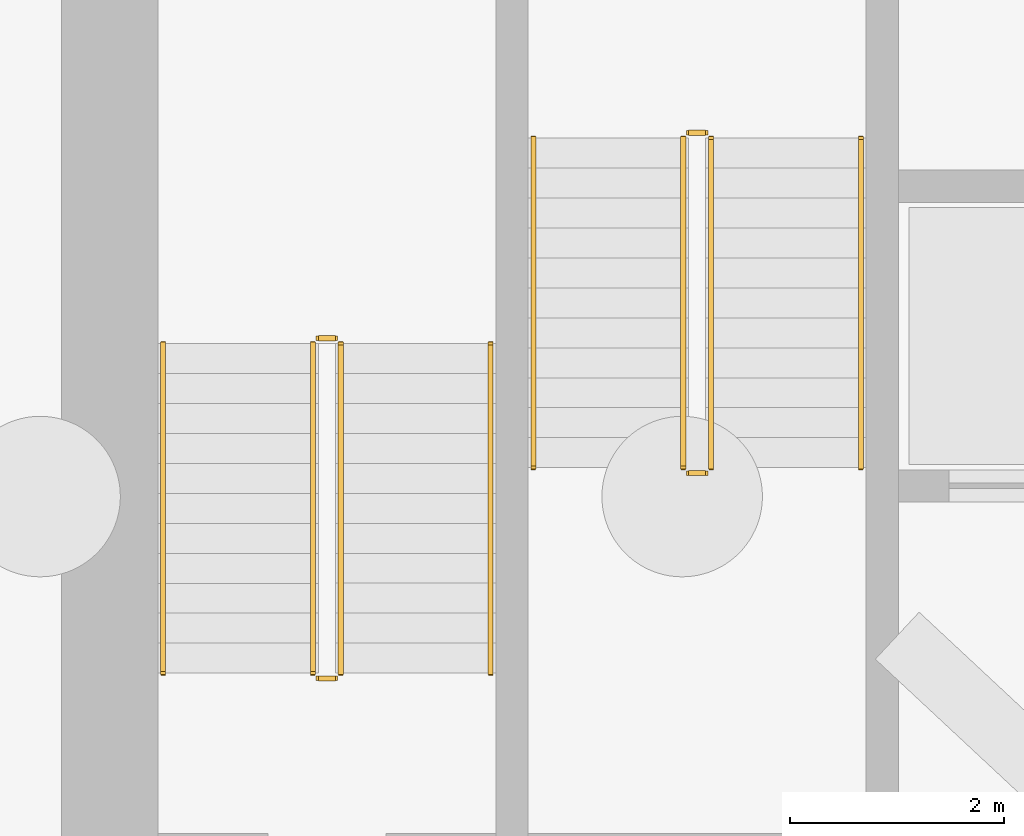
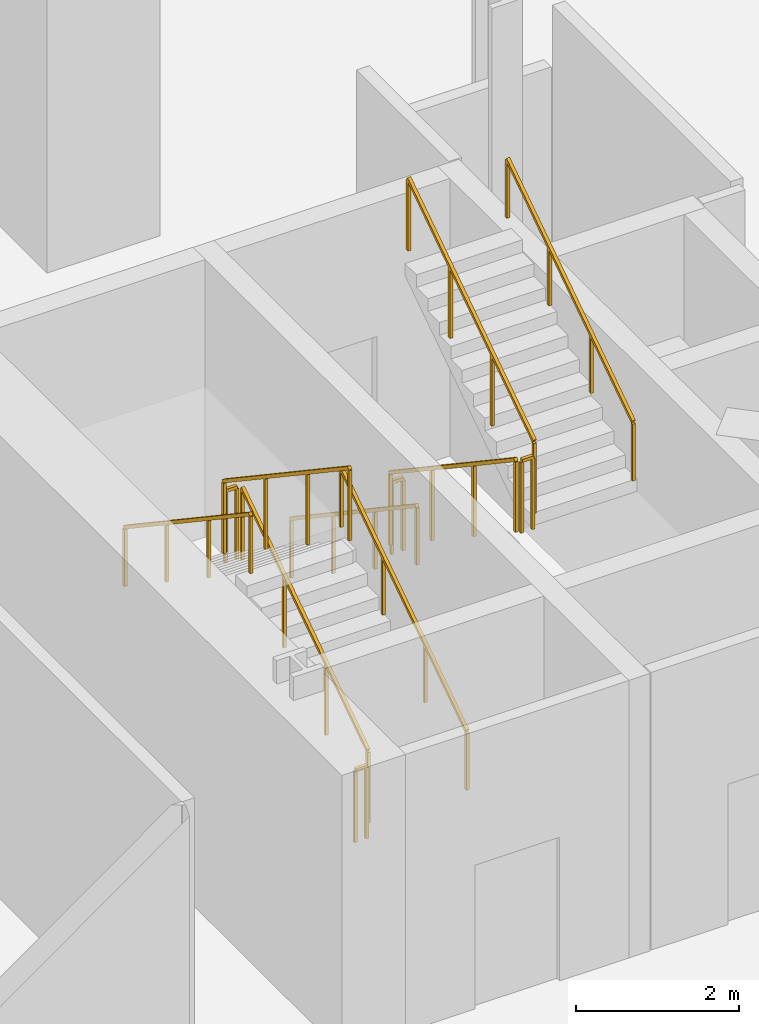
# One storey, part 8 of 10: 12 railings.
"""IFC4 building model written with IfcOpenShell, lengths in metres."""

from ifc_helpers import new_model, si_unit, direction, frame, origin, origin_2d, place, context, subcontext, project, spatial, rectangle, extrude, material, type_object, element, save


model = new_model("IFC4")

# Units and contexts
model_context = context("Model", 3, precision=1e-05, world=origin(), true_north=direction((0.0, 1.0)))
body_context = subcontext(model_context, "Body", "Model", "MODEL_VIEW")
ifc_project = project(units=[si_unit("LENGTHUNIT", "METRE"), si_unit("AREAUNIT", "SQUARE_METRE"), si_unit("VOLUMEUNIT", "CUBIC_METRE"), si_unit("PLANEANGLEUNIT", "RADIAN"), si_unit("MASSUNIT", "GRAM", prefix="KILO"), si_unit("THERMODYNAMICTEMPERATUREUNIT", "KELVIN"), si_unit("POWERUNIT", "WATT")], contexts=[model_context])

# Site, building, storey
site_placement = place(None, origin())
site = spatial("IfcSite", under=ifc_project, at=site_placement, CompositionType="ELEMENT")
building_placement = place(site_placement, origin())
building = spatial("IfcBuilding", under=site, at=building_placement, Name="Cundina Bronze Exchange", CompositionType="ELEMENT")
storey_placement = place(building_placement, frame((0.0, 0.0, -9.0)))
storey = spatial("IfcBuildingStorey", under=building, at=storey_placement, Name="B02", CompositionType="ELEMENT", Elevation=-9.0)

# Railings
ifc_material = material(Name="Steel ASTM A36 Painted", Category="steel")
railing_type_1 = type_object("IfcRailingType", Name="RLG-HND-900", PredefinedType="HANDRAIL", material=ifc_material)
railing_1_placement = place(storey_placement, frame((-27.7900390625, 5.85009765625, 0.1875)))
element("IfcRailing", 1, at=railing_1_placement, inside=storey, type_object=railing_type_1, Name="B02 ST-W1 stair handrail 1", PredefinedType="HANDRAIL", context=body_context, shape_type="SweptSolid", body=[
    extrude(rectangle(XDim=0.048095703125, YDim=0.048095703125, at=origin_2d()), frame((0.0, 0.0, 0.8759765625), z_axis=(0.0, 0.830893310487, 0.556431762742), x_axis=(-1.0, 0.0, 0.0)), (0.0, 0.0, 1.0), 3.70654296875),
    extrude(rectangle(XDim=0.0419921875, YDim=0.0419921875, at=origin_2d()), origin(), (0.0, 0.0, 1.0), 0.851806640625),
    extrude(rectangle(XDim=0.0419921875, YDim=0.0419921875, at=origin_2d()), frame((0.0, 1.026611328125, 0.6875)), (0.0, 0.0, 1.0), 0.851806640625),
    extrude(rectangle(XDim=0.0419921875, YDim=0.0419921875, at=origin_2d()), frame((0.0, 2.05322265625, 1.375)), (0.0, 0.0, 1.0), 0.851806640625),
    extrude(rectangle(XDim=0.0419921875, YDim=0.0419921875, at=origin_2d()), frame((0.0, 3.079833984375, 2.0625)), (0.0, 0.0, 1.0), 0.851806640625),
])
railing_2_placement = place(storey_placement, frame((-30.85009765625, 8.929931640625, 2.4375)))
element("IfcRailing", 2, at=railing_2_placement, inside=storey, type_object=railing_type_1, Name="B02 ST-W1 stair handrail 2", PredefinedType="HANDRAIL", context=body_context, shape_type="SweptSolid", body=[
    extrude(rectangle(XDim=0.048095703125, YDim=0.048095703125, at=origin_2d()), frame((0.0, 0.0, 0.8759765625), z_axis=(0.0, -0.830893310487, 0.556431762742), x_axis=(1.0, 0.0, 0.0)), (0.0, 0.0, 1.0), 3.70654296875),
    extrude(rectangle(XDim=0.0419921875, YDim=0.0419921875, at=origin_2d()), origin(), (0.0, 0.0, 1.0), 0.851806640625),
    extrude(rectangle(XDim=0.0419921875, YDim=0.0419921875, at=origin_2d()), frame((0.0, -1.026611328125, 0.6875)), (0.0, 0.0, 1.0), 0.851806640625),
    extrude(rectangle(XDim=0.0419921875, YDim=0.0419921875, at=origin_2d()), frame((0.0, -2.05322265625, 1.375)), (0.0, 0.0, 1.0), 0.851806640625),
    extrude(rectangle(XDim=0.0419921875, YDim=0.0419921875, at=origin_2d()), frame((0.0, -3.079833984375, 2.0625)), (0.0, 0.0, 1.0), 0.851806640625),
])
railing_3_placement = place(storey_placement, frame((-27.389892578125, 10.85009765625, 0.1875)))
element("IfcRailing", 3, at=railing_3_placement, inside=storey, type_object=railing_type_1, Name="B02 ST-W2 stair handrail 1", PredefinedType="HANDRAIL", context=body_context, shape_type="SweptSolid", body=[
    extrude(rectangle(XDim=0.048095703125, YDim=0.048095703125, at=origin_2d()), frame((0.0, 0.0, 0.8759765625), z_axis=(0.0, -0.830913701846, 0.55640131208), x_axis=(1.0, 0.0, 0.0)), (0.0, 0.0, 1.0), 3.706787109375),
    extrude(rectangle(XDim=0.0419921875, YDim=0.0419921875, at=origin_2d()), origin(), (0.0, 0.0, 1.0), 0.851806640625),
    extrude(rectangle(XDim=0.0419921875, YDim=0.0419921875, at=origin_2d()), frame((0.0, -1.026611328125, 0.6875)), (0.0, 0.0, 1.0), 0.851806640625),
    extrude(rectangle(XDim=0.0419921875, YDim=0.0419921875, at=origin_2d()), frame((0.0, -2.053466796875, 1.375)), (0.0, 0.0, 1.0), 0.851806640625),
    extrude(rectangle(XDim=0.0419921875, YDim=0.0419921875, at=origin_2d()), frame((0.0, -3.080078125, 2.0625)), (0.0, 0.0, 1.0), 0.851806640625),
])
railing_4_placement = place(storey_placement, frame((-24.330078125, 7.77001953125, 2.4375)))
element("IfcRailing", 4, at=railing_4_placement, inside=storey, type_object=railing_type_1, Name="B02 ST-W2 stair handrail 2", PredefinedType="HANDRAIL", context=body_context, shape_type="SweptSolid", body=[
    extrude(rectangle(XDim=0.048095703125, YDim=0.048095703125, at=origin_2d()), frame((0.0, 0.0, 0.8759765625), z_axis=(0.0, 0.830913701846, 0.55640131208), x_axis=(-1.0, 0.0, 0.0)), (0.0, 0.0, 1.0), 3.706787109375),
    extrude(rectangle(XDim=0.0419921875, YDim=0.0419921875, at=origin_2d()), origin(), (0.0, 0.0, 1.0), 0.851806640625),
    extrude(rectangle(XDim=0.0419921875, YDim=0.0419921875, at=origin_2d()), frame((0.0, 1.026611328125, 0.6875)), (0.0, 0.0, 1.0), 0.851806640625),
    extrude(rectangle(XDim=0.0419921875, YDim=0.0419921875, at=origin_2d()), frame((0.0, 2.053466796875, 1.375)), (0.0, 0.0, 1.0), 0.851806640625),
    extrude(rectangle(XDim=0.0419921875, YDim=0.0419921875, at=origin_2d()), frame((0.0, 3.080078125, 2.0625)), (0.0, 0.0, 1.0), 0.851806640625),
])
railing_type_2 = type_object("IfcRailingType", Name="RLG-STG-1100", PredefinedType="GUARDRAIL", material=ifc_material)
railing_5_placement = place(storey_placement, frame((-29.18994140625, 5.85009765625, 0.1875)))
element("IfcRailing", 5, at=railing_5_placement, inside=storey, type_object=railing_type_2, Name="B02 ST-W1 stair guard 1", PredefinedType="GUARDRAIL", context=body_context, shape_type="SweptSolid", body=[
    extrude(rectangle(XDim=0.048095703125, YDim=0.048095703125, at=origin_2d()), frame((0.0, 0.0, 1.076171875), z_axis=(0.0, 0.830893310487, 0.556431762742), x_axis=(-1.0, 0.0, 0.0)), (0.0, 0.0, 1.0), 3.70654296875),
    extrude(rectangle(XDim=0.0419921875, YDim=0.0419921875, at=origin_2d()), origin(), (0.0, 0.0, 1.0), 1.052001953125),
    extrude(rectangle(XDim=0.0419921875, YDim=0.0419921875, at=origin_2d()), frame((0.0, 1.026611328125, 0.6875)), (0.0, 0.0, 1.0), 1.052001953125),
    extrude(rectangle(XDim=0.0419921875, YDim=0.0419921875, at=origin_2d()), frame((0.0, 2.05322265625, 1.375)), (0.0, 0.0, 1.0), 1.052001953125),
    extrude(rectangle(XDim=0.0419921875, YDim=0.0419921875, at=origin_2d()), frame((0.0, 3.079833984375, 2.0625)), (0.0, 0.0, 1.0), 1.052001953125),
])
railing_6_placement = place(storey_placement, frame((-29.239990234375, 8.97998046875, 2.25)))
element("IfcRailing", 6, at=railing_6_placement, inside=storey, type_object=railing_type_2, Name="B02 ST-W1 stair guard 2", PredefinedType="GUARDRAIL", context=body_context, shape_type="SweptSolid", body=[
    extrude(rectangle(XDim=0.048095703125, YDim=0.048095703125, at=origin_2d()), frame((0.0, 0.0, 1.076171875), z_axis=(-1.0, 0.0, 0.0), x_axis=(0.0, -1.0, 0.0)), (0.0, 0.0, 1.0), 0.159912109375),
    extrude(rectangle(XDim=0.0419921875, YDim=0.0419921875, at=origin_2d()), origin(), (0.0, 0.0, 1.0), 1.052001953125),
    extrude(rectangle(XDim=0.0419921875, YDim=0.0419921875, at=origin_2d()), frame((-0.159912109375, 0.0, 0.0)), (0.0, 0.0, 1.0), 1.052001953125),
])
railing_7_placement = place(storey_placement, frame((-29.449951171875, 8.929931640625, 2.4375)))
element("IfcRailing", 7, at=railing_7_placement, inside=storey, type_object=railing_type_2, Name="B02 ST-W1 stair guard 3", PredefinedType="GUARDRAIL", context=body_context, shape_type="SweptSolid", body=[
    extrude(rectangle(XDim=0.048095703125, YDim=0.048095703125, at=origin_2d()), frame((0.0, 0.0, 1.076171875), z_axis=(0.0, -0.830893310487, 0.556431762742), x_axis=(1.0, 0.0, 0.0)), (0.0, 0.0, 1.0), 3.70654296875),
    extrude(rectangle(XDim=0.0419921875, YDim=0.0419921875, at=origin_2d()), origin(), (0.0, 0.0, 1.0), 1.052001953125),
    extrude(rectangle(XDim=0.0419921875, YDim=0.0419921875, at=origin_2d()), frame((0.0, -1.026611328125, 0.6875)), (0.0, 0.0, 1.0), 1.052001953125),
    extrude(rectangle(XDim=0.0419921875, YDim=0.0419921875, at=origin_2d()), frame((0.0, -2.05322265625, 1.375)), (0.0, 0.0, 1.0), 1.052001953125),
    extrude(rectangle(XDim=0.0419921875, YDim=0.0419921875, at=origin_2d()), frame((0.0, -3.079833984375, 2.0625)), (0.0, 0.0, 1.0), 1.052001953125),
])
railing_8_placement = place(storey_placement, frame((-29.239990234375, 5.800048828125, 0.0)))
element("IfcRailing", 8, at=railing_8_placement, inside=storey, type_object=railing_type_2, Name="B02 ST-W1 stair guard 4", PredefinedType="GUARDRAIL", context=body_context, shape_type="SweptSolid", body=[
    extrude(rectangle(XDim=0.048095703125, YDim=0.048095703125, at=origin_2d()), frame((0.0, 0.0, 1.076171875), z_axis=(-1.0, 0.0, 0.0), x_axis=(0.0, -1.0, 0.0)), (0.0, 0.0, 1.0), 0.159912109375),
    extrude(rectangle(XDim=0.0419921875, YDim=0.0419921875, at=origin_2d()), origin(), (0.0, 0.0, 1.0), 1.052001953125),
    extrude(rectangle(XDim=0.0419921875, YDim=0.0419921875, at=origin_2d()), frame((-0.159912109375, 0.0, 0.0)), (0.0, 0.0, 1.0), 1.052001953125),
])
railing_9_placement = place(storey_placement, frame((-25.989990234375, 10.85009765625, 0.1875)))
element("IfcRailing", 9, at=railing_9_placement, inside=storey, type_object=railing_type_2, Name="B02 ST-W2 stair guard 1", PredefinedType="GUARDRAIL", context=body_context, shape_type="SweptSolid", body=[
    extrude(rectangle(XDim=0.048095703125, YDim=0.048095703125, at=origin_2d()), frame((0.0, 0.0, 1.076171875), z_axis=(0.0, -0.830913701846, 0.55640131208), x_axis=(1.0, 0.0, 0.0)), (0.0, 0.0, 1.0), 3.706787109375),
    extrude(rectangle(XDim=0.0419921875, YDim=0.0419921875, at=origin_2d()), origin(), (0.0, 0.0, 1.0), 1.052001953125),
    extrude(rectangle(XDim=0.0419921875, YDim=0.0419921875, at=origin_2d()), frame((0.0, -1.026611328125, 0.6875)), (0.0, 0.0, 1.0), 1.052001953125),
    extrude(rectangle(XDim=0.0419921875, YDim=0.0419921875, at=origin_2d()), frame((0.0, -2.053466796875, 1.375)), (0.0, 0.0, 1.0), 1.052001953125),
    extrude(rectangle(XDim=0.0419921875, YDim=0.0419921875, at=origin_2d()), frame((0.0, -3.080078125, 2.0625)), (0.0, 0.0, 1.0), 1.052001953125),
])
railing_10_placement = place(storey_placement, frame((-25.93994140625, 7.719970703125, 2.25)))
element("IfcRailing", 10, at=railing_10_placement, inside=storey, type_object=railing_type_2, Name="B02 ST-W2 stair guard 2", PredefinedType="GUARDRAIL", context=body_context, shape_type="SweptSolid", body=[
    extrude(rectangle(XDim=0.048095703125, YDim=0.048095703125, at=origin_2d()), frame((0.0, 0.0, 1.076171875), z_axis=(1.0, 0.0, 0.0), x_axis=(0.0, 1.0, 0.0)), (0.0, 0.0, 1.0), 0.159912109375),
    extrude(rectangle(XDim=0.0419921875, YDim=0.0419921875, at=origin_2d()), origin(), (0.0, 0.0, 1.0), 1.052001953125),
    extrude(rectangle(XDim=0.0419921875, YDim=0.0419921875, at=origin_2d()), frame((0.159912109375, 0.0, 0.0)), (0.0, 0.0, 1.0), 1.052001953125),
])
railing_11_placement = place(storey_placement, frame((-25.72998046875, 7.77001953125, 2.4375)))
element("IfcRailing", 11, at=railing_11_placement, inside=storey, type_object=railing_type_2, Name="B02 ST-W2 stair guard 3", PredefinedType="GUARDRAIL", context=body_context, shape_type="SweptSolid", body=[
    extrude(rectangle(XDim=0.048095703125, YDim=0.048095703125, at=origin_2d()), frame((0.0, 0.0, 1.076171875), z_axis=(0.0, 0.830913701846, 0.55640131208), x_axis=(-1.0, 0.0, 0.0)), (0.0, 0.0, 1.0), 3.706787109375),
    extrude(rectangle(XDim=0.0419921875, YDim=0.0419921875, at=origin_2d()), origin(), (0.0, 0.0, 1.0), 1.052001953125),
    extrude(rectangle(XDim=0.0419921875, YDim=0.0419921875, at=origin_2d()), frame((0.0, 1.026611328125, 0.6875)), (0.0, 0.0, 1.0), 1.052001953125),
    extrude(rectangle(XDim=0.0419921875, YDim=0.0419921875, at=origin_2d()), frame((0.0, 2.053466796875, 1.375)), (0.0, 0.0, 1.0), 1.052001953125),
    extrude(rectangle(XDim=0.0419921875, YDim=0.0419921875, at=origin_2d()), frame((0.0, 3.080078125, 2.0625)), (0.0, 0.0, 1.0), 1.052001953125),
])
railing_12_placement = place(storey_placement, frame((-25.93994140625, 10.89990234375, 0.0)))
element("IfcRailing", 12, at=railing_12_placement, inside=storey, type_object=railing_type_2, Name="B02 ST-W2 stair guard 4", PredefinedType="GUARDRAIL", context=body_context, shape_type="SweptSolid", body=[
    extrude(rectangle(XDim=0.048095703125, YDim=0.048095703125, at=origin_2d()), frame((0.0, 0.0, 1.076171875), z_axis=(1.0, 0.0, 0.0), x_axis=(0.0, 1.0, 0.0)), (0.0, 0.0, 1.0), 0.159912109375),
    extrude(rectangle(XDim=0.0419921875, YDim=0.0419921875, at=origin_2d()), origin(), (0.0, 0.0, 1.0), 1.052001953125),
    extrude(rectangle(XDim=0.0419921875, YDim=0.0419921875, at=origin_2d()), frame((0.159912109375, 0.0, 0.0)), (0.0, 0.0, 1.0), 1.052001953125),
])

save(model, "model.ifc")
